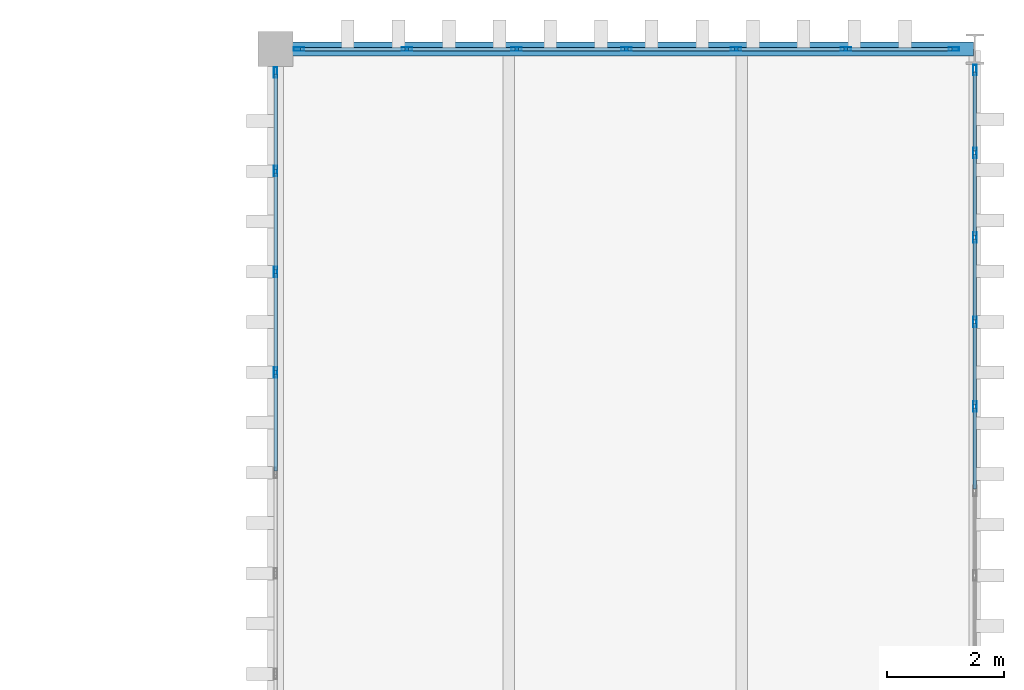
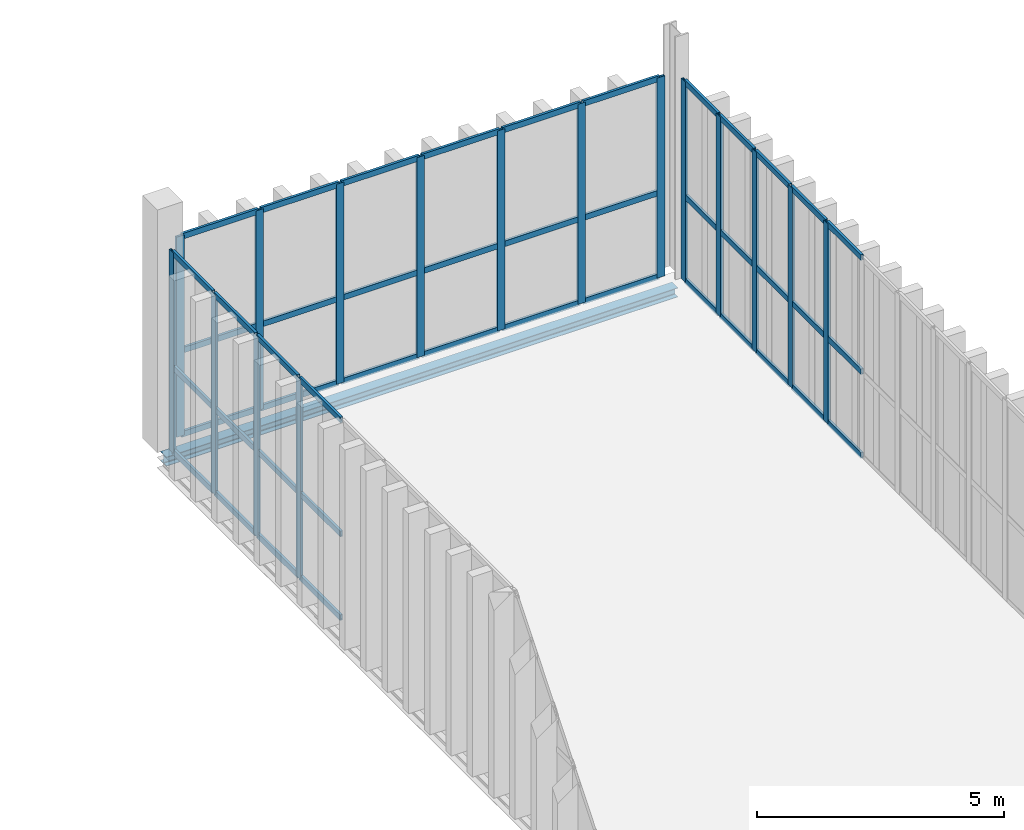
# One storey, part 150 of 211: 61 members, 1 beam, 3 elements without a shape of their own.
"""IFC4 building model written with IfcOpenShell, lengths in metres."""

from ifc_helpers import new_model, si_unit, direction, frame, origin, origin_2d, place, context, subcontext, project, spatial, hollow_rectangle, i_section, extrude, material, layer, layer_set, material_profile, profile_set, type_object, element, aggregate, save


model = new_model("IFC4")

# Units and contexts
model_context = context("Model", 3, precision=1e-05, world=origin(), true_north=direction((0.0, 1.0)))
body_context = subcontext(model_context, "Body", "Model", "MODEL_VIEW")
ifc_project = project(units=[si_unit("LENGTHUNIT", "METRE"), si_unit("AREAUNIT", "SQUARE_METRE"), si_unit("VOLUMEUNIT", "CUBIC_METRE"), si_unit("PLANEANGLEUNIT", "RADIAN"), si_unit("MASSUNIT", "GRAM", prefix="KILO")], contexts=[model_context])

# Site, building, storey
site_placement = place(None, origin())
site = spatial("IfcSite", under=ifc_project, at=site_placement, CompositionType="ELEMENT")
building_placement = place(site_placement, origin())
building = spatial("IfcBuilding", under=site, at=building_placement, Name="Barlavento Convention Centre", CompositionType="ELEMENT")
storey_placement = place(building_placement, frame((0.0, 0.0, 6.0)))
storey = spatial("IfcBuildingStorey", under=building, at=storey_placement, Name="L01", CompositionType="ELEMENT", Elevation=6.0)

# Curtain wall, members
ifc_material_1 = material(Name="Powder-coated aluminium and Low-E glass", Category="aluminium")
ifc_layer_1 = layer(ifc_material_1, 0.195068359375)
ifc_layer_set_1 = layer_set([ifc_layer_1], Name="ARC-CW-FOY-L01")
curtain_wall_type_1 = type_object("IfcCurtainWallType", Name="ARC-CW-FOY-L01", PredefinedType="NOTDEFINED", material=ifc_layer_set_1)
curtain_wall_1_placement = place(storey_placement, origin())
curtain_wall_1 = element("IfcCurtainWall", 1, at=curtain_wall_1_placement, inside=storey, type_object=curtain_wall_type_1, Name="L01 unitised curtain wall CW03", PredefinedType="NOTDEFINED")
ifc_material_2 = material(Name="Powder-coated aluminium", Category="aluminium")
ifc_material_profile_1 = material_profile(ifc_material_2, hollow_rectangle(XDim=0.06005859375, YDim=0.179931640625, WallThickness=0.0048828125, at=origin_2d()), Name="AL-MULL 60x180x5")
ifc_profile_set_1 = profile_set([ifc_material_profile_1], Name="Powder-coated aluminium")
member_type_1 = type_object("IfcMemberType", Name="ARC-CWM-60X180", PredefinedType="MULLION", material=ifc_profile_set_1)
member_1_placement = place(storey_placement, frame((192.0, 128.86962890625, 0.0), z_axis=(0.0, 0.0, 1.0), x_axis=(-1.0, 0.0, 0.0)))
member_1 = element("IfcMember", 2, at=member_1_placement, type_object=member_type_1, Name="CW03 mullion 9", PredefinedType="MULLION", context=body_context, shape_type="SweptSolid", body=[
    extrude(hollow_rectangle(XDim=0.06005859375, YDim=0.179931640625, WallThickness=0.0048828125, at=origin_2d()), origin(), (0.0, 0.0, 1.0), 4.949951171875),
])
member_2_placement = place(storey_placement, frame((192.0, 130.3193359375, 0.0), z_axis=(0.0, 0.0, 1.0), x_axis=(-1.0, 0.0, 0.0)))
member_2 = element("IfcMember", 3, at=member_2_placement, type_object=member_type_1, Name="CW03 mullion 10", PredefinedType="MULLION", context=body_context, shape_type="SweptSolid", body=[
    extrude(hollow_rectangle(XDim=0.06005859375, YDim=0.179931640625, WallThickness=0.0048828125, at=origin_2d()), origin(), (0.0, 0.0, 1.0), 4.949951171875),
])
member_3_placement = place(storey_placement, frame((192.0, 131.768798828125, 0.0), z_axis=(0.0, 0.0, 1.0), x_axis=(-1.0, 0.0, 0.0)))
member_3 = element("IfcMember", 4, at=member_3_placement, type_object=member_type_1, Name="CW03 mullion 11", PredefinedType="MULLION", context=body_context, shape_type="SweptSolid", body=[
    extrude(hollow_rectangle(XDim=0.06005859375, YDim=0.179931640625, WallThickness=0.0048828125, at=origin_2d()), origin(), (0.0, 0.0, 1.0), 4.949951171875),
])
member_4_placement = place(storey_placement, frame((192.0, 133.218505859375, 0.0), z_axis=(0.0, 0.0, 1.0), x_axis=(-1.0, 0.0, 0.0)))
member_4 = element("IfcMember", 5, at=member_4_placement, type_object=member_type_1, Name="CW03 mullion 12", PredefinedType="MULLION", context=body_context, shape_type="SweptSolid", body=[
    extrude(hollow_rectangle(XDim=0.06005859375, YDim=0.179931640625, WallThickness=0.0048828125, at=origin_2d()), origin(), (0.0, 0.0, 1.0), 4.949951171875),
])
member_5_placement = place(storey_placement, frame((192.0, 134.637939453125, 0.0), z_axis=(0.0, 0.0, 1.0), x_axis=(-1.0, 0.0, 0.0)))
member_5 = element("IfcMember", 6, at=member_5_placement, type_object=member_type_1, Name="CW03 mullion 13", PredefinedType="MULLION", context=body_context, shape_type="SweptSolid", body=[
    extrude(hollow_rectangle(XDim=0.06005859375, YDim=0.179931640625, WallThickness=0.0048828125, at=origin_2d()), origin(), (0.0, 0.0, 1.0), 4.949951171875),
])

ifc_layer_2 = layer(ifc_material_1, 0.179931640625)
ifc_layer_set_2 = layer_set([ifc_layer_2], Name="ARC-CW-EXH-L01")
curtain_wall_type_2 = type_object("IfcCurtainWallType", Name="ARC-CW-EXH-L01", PredefinedType="NOTDEFINED", material=ifc_layer_set_2)
curtain_wall_2_placement = place(storey_placement, origin())
curtain_wall_2 = element("IfcCurtainWall", 7, at=curtain_wall_2_placement, inside=storey, type_object=curtain_wall_type_2, Name="L01 unitised curtain wall CW04", PredefinedType="NOTDEFINED")
member_6_placement = place(storey_placement, frame((180.39990234375, 135.0, 0.0), z_axis=(0.0, 0.0, 1.0), x_axis=(0.0, 1.0, 0.0)))
member_6 = element("IfcMember", 8, at=member_6_placement, type_object=member_type_1, Name="CW04 mullion 1", PredefinedType="MULLION", context=body_context, shape_type="SweptSolid", body=[
    extrude(hollow_rectangle(XDim=0.06005859375, YDim=0.179931640625, WallThickness=0.0048828125, at=origin_2d()), origin(), (0.0, 0.0, 1.0), 4.949951171875),
])
member_7_placement = place(storey_placement, frame((182.2529296875, 135.0, 0.0), z_axis=(0.0, 0.0, 1.0), x_axis=(0.0, 1.0, 0.0)))
member_7 = element("IfcMember", 9, at=member_7_placement, type_object=member_type_1, Name="CW04 mullion 2", PredefinedType="MULLION", context=body_context, shape_type="SweptSolid", body=[
    extrude(hollow_rectangle(XDim=0.06005859375, YDim=0.179931640625, WallThickness=0.0048828125, at=origin_2d()), origin(), (0.0, 0.0, 1.0), 4.949951171875),
])
member_8_placement = place(storey_placement, frame((184.135986328125, 135.0, 0.0), z_axis=(0.0, 0.0, 1.0), x_axis=(0.0, 1.0, 0.0)))
member_8 = element("IfcMember", 10, at=member_8_placement, type_object=member_type_1, Name="CW04 mullion 3", PredefinedType="MULLION", context=body_context, shape_type="SweptSolid", body=[
    extrude(hollow_rectangle(XDim=0.06005859375, YDim=0.179931640625, WallThickness=0.0048828125, at=origin_2d()), origin(), (0.0, 0.0, 1.0), 4.949951171875),
])
member_9_placement = place(storey_placement, frame((186.01904296875, 135.0, 0.0), z_axis=(0.0, 0.0, 1.0), x_axis=(0.0, 1.0, 0.0)))
member_9 = element("IfcMember", 11, at=member_9_placement, type_object=member_type_1, Name="CW04 mullion 4", PredefinedType="MULLION", context=body_context, shape_type="SweptSolid", body=[
    extrude(hollow_rectangle(XDim=0.06005859375, YDim=0.179931640625, WallThickness=0.0048828125, at=origin_2d()), origin(), (0.0, 0.0, 1.0), 4.949951171875),
])
member_10_placement = place(storey_placement, frame((187.902099609375, 135.0, 0.0), z_axis=(0.0, 0.0, 1.0), x_axis=(0.0, 1.0, 0.0)))
member_10 = element("IfcMember", 12, at=member_10_placement, type_object=member_type_1, Name="CW04 mullion 5", PredefinedType="MULLION", context=body_context, shape_type="SweptSolid", body=[
    extrude(hollow_rectangle(XDim=0.06005859375, YDim=0.179931640625, WallThickness=0.0048828125, at=origin_2d()), origin(), (0.0, 0.0, 1.0), 4.949951171875),
])
member_11_placement = place(storey_placement, frame((189.784912109375, 135.0, 0.0), z_axis=(0.0, 0.0, 1.0), x_axis=(0.0, 1.0, 0.0)))
member_11 = element("IfcMember", 13, at=member_11_placement, type_object=member_type_1, Name="CW04 mullion 6", PredefinedType="MULLION", context=body_context, shape_type="SweptSolid", body=[
    extrude(hollow_rectangle(XDim=0.06005859375, YDim=0.179931640625, WallThickness=0.0048828125, at=origin_2d()), origin(), (0.0, 0.0, 1.0), 4.949951171875),
])
member_12_placement = place(storey_placement, frame((191.637939453125, 135.0, 0.0), z_axis=(0.0, 0.0, 1.0), x_axis=(0.0, 1.0, 0.0)))
member_12 = element("IfcMember", 14, at=member_12_placement, type_object=member_type_1, Name="CW04 mullion 7", PredefinedType="MULLION", context=body_context, shape_type="SweptSolid", body=[
    extrude(hollow_rectangle(XDim=0.06005859375, YDim=0.179931640625, WallThickness=0.0048828125, at=origin_2d()), origin(), (0.0, 0.0, 1.0), 4.949951171875),
])

curtain_wall_3_placement = place(storey_placement, origin())
curtain_wall_3 = element("IfcCurtainWall", 15, at=curtain_wall_3_placement, inside=storey, type_object=curtain_wall_type_2, Name="L01 unitised curtain wall CW04", PredefinedType="NOTDEFINED")
member_13_placement = place(storey_placement, frame((180.0, 129.455078125, 0.0), z_axis=(0.0, 0.0, 1.0), x_axis=(-1.0, 0.0, 0.0)))
member_13 = element("IfcMember", 16, at=member_13_placement, type_object=member_type_1, Name="CW04 mullion 8", PredefinedType="MULLION", context=body_context, shape_type="SweptSolid", body=[
    extrude(hollow_rectangle(XDim=0.06005859375, YDim=0.179931640625, WallThickness=0.0048828125, at=origin_2d()), origin(), (0.0, 0.0, 1.0), 4.949951171875),
])
member_14_placement = place(storey_placement, frame((180.0, 131.179931640625, 0.0), z_axis=(0.0, 0.0, 1.0), x_axis=(-1.0, 0.0, 0.0)))
member_14 = element("IfcMember", 17, at=member_14_placement, type_object=member_type_1, Name="CW04 mullion 9", PredefinedType="MULLION", context=body_context, shape_type="SweptSolid", body=[
    extrude(hollow_rectangle(XDim=0.06005859375, YDim=0.179931640625, WallThickness=0.0048828125, at=origin_2d()), origin(), (0.0, 0.0, 1.0), 4.949951171875),
])
member_15_placement = place(storey_placement, frame((180.0, 132.905029296875, 0.0), z_axis=(0.0, 0.0, 1.0), x_axis=(-1.0, 0.0, 0.0)))
member_15 = element("IfcMember", 18, at=member_15_placement, type_object=member_type_1, Name="CW04 mullion 10", PredefinedType="MULLION", context=body_context, shape_type="SweptSolid", body=[
    extrude(hollow_rectangle(XDim=0.06005859375, YDim=0.179931640625, WallThickness=0.0048828125, at=origin_2d()), origin(), (0.0, 0.0, 1.0), 4.949951171875),
])
member_16_placement = place(storey_placement, frame((180.0, 134.60009765625, 0.0), z_axis=(0.0, 0.0, 1.0), x_axis=(-1.0, 0.0, 0.0)))
member_16 = element("IfcMember", 19, at=member_16_placement, type_object=member_type_1, Name="CW04 mullion 11", PredefinedType="MULLION", context=body_context, shape_type="SweptSolid", body=[
    extrude(hollow_rectangle(XDim=0.06005859375, YDim=0.179931640625, WallThickness=0.0048828125, at=origin_2d()), origin(), (0.0, 0.0, 1.0), 4.949951171875),
])

# Member
ifc_material_profile_2 = material_profile(ifc_material_2, hollow_rectangle(XDim=0.06005859375, YDim=0.139892578125, WallThickness=0.00390625, at=origin_2d()), Name="AL-TRAN 60x140x4")
ifc_profile_set_2 = profile_set([ifc_material_profile_2], Name="Powder-coated aluminium")
member_type_2 = type_object("IfcMemberType", Name="ARC-CWT-60X140", PredefinedType="USERDEFINED", material=ifc_profile_set_2)
member_17_placement = place(storey_placement, frame((192.0, 127.4501953125, 0.030029296875), z_axis=(0.0, 1.0, 0.0), x_axis=(-1.0, 0.0, 0.0)))
member_17 = element("IfcMember", 20, at=member_17_placement, type_object=member_type_2, Name="CW03 transom 8.1", ObjectType="TRANSOM", PredefinedType="USERDEFINED", context=body_context, shape_type="SweptSolid", body=[
    extrude(hollow_rectangle(XDim=0.06005859375, YDim=0.139892578125, WallThickness=0.00390625, at=origin_2d()), origin(), (0.0, 0.0, 1.0), 1.3896484375),
])

member_18_placement = place(storey_placement, frame((192.0, 127.4501953125, 2.10009765625), z_axis=(0.0, 1.0, 0.0), x_axis=(-1.0, 0.0, 0.0)))
member_18 = element("IfcMember", 21, at=member_18_placement, type_object=member_type_2, Name="CW03 transom 8.2", ObjectType="TRANSOM", PredefinedType="USERDEFINED", context=body_context, shape_type="SweptSolid", body=[
    extrude(hollow_rectangle(XDim=0.06005859375, YDim=0.139892578125, WallThickness=0.00390625, at=origin_2d()), origin(), (0.0, 0.0, 1.0), 1.3896484375),
])

member_19_placement = place(storey_placement, frame((192.0, 127.4501953125, 4.919921875), z_axis=(0.0, 1.0, 0.0), x_axis=(-1.0, 0.0, 0.0)))
member_19 = element("IfcMember", 22, at=member_19_placement, type_object=member_type_2, Name="CW03 transom 8.3", ObjectType="TRANSOM", PredefinedType="USERDEFINED", context=body_context, shape_type="SweptSolid", body=[
    extrude(hollow_rectangle(XDim=0.06005859375, YDim=0.139892578125, WallThickness=0.00390625, at=origin_2d()), origin(), (0.0, 0.0, 1.0), 1.3896484375),
])

member_20_placement = place(storey_placement, frame((192.0, 128.899658203125, 0.030029296875), z_axis=(0.0, 1.0, 0.0), x_axis=(-1.0, 0.0, 0.0)))
member_20 = element("IfcMember", 23, at=member_20_placement, type_object=member_type_2, Name="CW03 transom 9.1", ObjectType="TRANSOM", PredefinedType="USERDEFINED", context=body_context, shape_type="SweptSolid", body=[
    extrude(hollow_rectangle(XDim=0.06005859375, YDim=0.139892578125, WallThickness=0.00390625, at=origin_2d()), origin(), (0.0, 0.0, 1.0), 1.3896484375),
])

member_21_placement = place(storey_placement, frame((192.0, 128.899658203125, 2.10009765625), z_axis=(0.0, 1.0, 0.0), x_axis=(-1.0, 0.0, 0.0)))
member_21 = element("IfcMember", 24, at=member_21_placement, type_object=member_type_2, Name="CW03 transom 9.2", ObjectType="TRANSOM", PredefinedType="USERDEFINED", context=body_context, shape_type="SweptSolid", body=[
    extrude(hollow_rectangle(XDim=0.06005859375, YDim=0.139892578125, WallThickness=0.00390625, at=origin_2d()), origin(), (0.0, 0.0, 1.0), 1.3896484375),
])

member_22_placement = place(storey_placement, frame((192.0, 128.899658203125, 4.919921875), z_axis=(0.0, 1.0, 0.0), x_axis=(-1.0, 0.0, 0.0)))
member_22 = element("IfcMember", 25, at=member_22_placement, type_object=member_type_2, Name="CW03 transom 9.3", ObjectType="TRANSOM", PredefinedType="USERDEFINED", context=body_context, shape_type="SweptSolid", body=[
    extrude(hollow_rectangle(XDim=0.06005859375, YDim=0.139892578125, WallThickness=0.00390625, at=origin_2d()), origin(), (0.0, 0.0, 1.0), 1.3896484375),
])

member_23_placement = place(storey_placement, frame((192.0, 130.349365234375, 0.030029296875), z_axis=(0.0, 1.0, 0.0), x_axis=(-1.0, 0.0, 0.0)))
member_23 = element("IfcMember", 26, at=member_23_placement, type_object=member_type_2, Name="CW03 transom 10.1", ObjectType="TRANSOM", PredefinedType="USERDEFINED", context=body_context, shape_type="SweptSolid", body=[
    extrude(hollow_rectangle(XDim=0.06005859375, YDim=0.139892578125, WallThickness=0.00390625, at=origin_2d()), origin(), (0.0, 0.0, 1.0), 1.389404296875),
])

member_24_placement = place(storey_placement, frame((192.0, 130.349365234375, 2.10009765625), z_axis=(0.0, 1.0, 0.0), x_axis=(-1.0, 0.0, 0.0)))
member_24 = element("IfcMember", 27, at=member_24_placement, type_object=member_type_2, Name="CW03 transom 10.2", ObjectType="TRANSOM", PredefinedType="USERDEFINED", context=body_context, shape_type="SweptSolid", body=[
    extrude(hollow_rectangle(XDim=0.06005859375, YDim=0.139892578125, WallThickness=0.00390625, at=origin_2d()), origin(), (0.0, 0.0, 1.0), 1.389404296875),
])

member_25_placement = place(storey_placement, frame((192.0, 130.349365234375, 4.919921875), z_axis=(0.0, 1.0, 0.0), x_axis=(-1.0, 0.0, 0.0)))
member_25 = element("IfcMember", 28, at=member_25_placement, type_object=member_type_2, Name="CW03 transom 10.3", ObjectType="TRANSOM", PredefinedType="USERDEFINED", context=body_context, shape_type="SweptSolid", body=[
    extrude(hollow_rectangle(XDim=0.06005859375, YDim=0.139892578125, WallThickness=0.00390625, at=origin_2d()), origin(), (0.0, 0.0, 1.0), 1.389404296875),
])

member_26_placement = place(storey_placement, frame((192.0, 131.798828125, 0.030029296875), z_axis=(0.0, 1.0, 0.0), x_axis=(-1.0, 0.0, 0.0)))
member_26 = element("IfcMember", 29, at=member_26_placement, type_object=member_type_2, Name="CW03 transom 11.1", ObjectType="TRANSOM", PredefinedType="USERDEFINED", context=body_context, shape_type="SweptSolid", body=[
    extrude(hollow_rectangle(XDim=0.06005859375, YDim=0.139892578125, WallThickness=0.00390625, at=origin_2d()), origin(), (0.0, 0.0, 1.0), 1.3896484375),
])

member_27_placement = place(storey_placement, frame((192.0, 131.798828125, 2.10009765625), z_axis=(0.0, 1.0, 0.0), x_axis=(-1.0, 0.0, 0.0)))
member_27 = element("IfcMember", 30, at=member_27_placement, type_object=member_type_2, Name="CW03 transom 11.2", ObjectType="TRANSOM", PredefinedType="USERDEFINED", context=body_context, shape_type="SweptSolid", body=[
    extrude(hollow_rectangle(XDim=0.06005859375, YDim=0.139892578125, WallThickness=0.00390625, at=origin_2d()), origin(), (0.0, 0.0, 1.0), 1.3896484375),
])

member_28_placement = place(storey_placement, frame((192.0, 131.798828125, 4.919921875), z_axis=(0.0, 1.0, 0.0), x_axis=(-1.0, 0.0, 0.0)))
member_28 = element("IfcMember", 31, at=member_28_placement, type_object=member_type_2, Name="CW03 transom 11.3", ObjectType="TRANSOM", PredefinedType="USERDEFINED", context=body_context, shape_type="SweptSolid", body=[
    extrude(hollow_rectangle(XDim=0.06005859375, YDim=0.139892578125, WallThickness=0.00390625, at=origin_2d()), origin(), (0.0, 0.0, 1.0), 1.3896484375),
])

member_29_placement = place(storey_placement, frame((192.0, 133.24853515625, 0.030029296875), z_axis=(0.0, 1.0, 0.0), x_axis=(-1.0, 0.0, 0.0)))
member_29 = element("IfcMember", 32, at=member_29_placement, type_object=member_type_2, Name="CW03 transom 12.1", ObjectType="TRANSOM", PredefinedType="USERDEFINED", context=body_context, shape_type="SweptSolid", body=[
    extrude(hollow_rectangle(XDim=0.06005859375, YDim=0.139892578125, WallThickness=0.00390625, at=origin_2d()), origin(), (0.0, 0.0, 1.0), 1.359375),
])

member_30_placement = place(storey_placement, frame((192.0, 133.24853515625, 2.10009765625), z_axis=(0.0, 1.0, 0.0), x_axis=(-1.0, 0.0, 0.0)))
member_30 = element("IfcMember", 33, at=member_30_placement, type_object=member_type_2, Name="CW03 transom 12.2", ObjectType="TRANSOM", PredefinedType="USERDEFINED", context=body_context, shape_type="SweptSolid", body=[
    extrude(hollow_rectangle(XDim=0.06005859375, YDim=0.139892578125, WallThickness=0.00390625, at=origin_2d()), origin(), (0.0, 0.0, 1.0), 1.359375),
])

member_31_placement = place(storey_placement, frame((192.0, 133.24853515625, 4.919921875), z_axis=(0.0, 1.0, 0.0), x_axis=(-1.0, 0.0, 0.0)))
member_31 = element("IfcMember", 34, at=member_31_placement, type_object=member_type_2, Name="CW03 transom 12.3", ObjectType="TRANSOM", PredefinedType="USERDEFINED", context=body_context, shape_type="SweptSolid", body=[
    extrude(hollow_rectangle(XDim=0.06005859375, YDim=0.139892578125, WallThickness=0.00390625, at=origin_2d()), origin(), (0.0, 0.0, 1.0), 1.359375),
])

aggregate(curtain_wall_1, [member_1, member_2, member_3, member_4, member_5, member_17, member_18, member_19, member_20, member_21, member_22, member_23, member_24, member_25, member_26, member_27, member_28, member_29, member_30, member_31])

member_32_placement = place(storey_placement, frame((180.429931640625, 135.0, 0.030029296875), z_axis=(1.0, 0.0, 0.0), x_axis=(0.0, 1.0, 0.0)))
member_32 = element("IfcMember", 35, at=member_32_placement, type_object=member_type_2, Name="CW04 transom 1.1", ObjectType="TRANSOM", PredefinedType="USERDEFINED", context=body_context, shape_type="SweptSolid", body=[
    extrude(hollow_rectangle(XDim=0.06005859375, YDim=0.139892578125, WallThickness=0.00390625, at=origin_2d()), origin(), (0.0, 0.0, 1.0), 1.79296875),
])

member_33_placement = place(storey_placement, frame((180.429931640625, 135.0, 2.10009765625), z_axis=(1.0, 0.0, 0.0), x_axis=(0.0, 1.0, 0.0)))
member_33 = element("IfcMember", 36, at=member_33_placement, type_object=member_type_2, Name="CW04 transom 1.2", ObjectType="TRANSOM", PredefinedType="USERDEFINED", context=body_context, shape_type="SweptSolid", body=[
    extrude(hollow_rectangle(XDim=0.06005859375, YDim=0.139892578125, WallThickness=0.00390625, at=origin_2d()), origin(), (0.0, 0.0, 1.0), 1.79296875),
])

member_34_placement = place(storey_placement, frame((180.429931640625, 135.0, 4.919921875), z_axis=(1.0, 0.0, 0.0), x_axis=(0.0, 1.0, 0.0)))
member_34 = element("IfcMember", 37, at=member_34_placement, type_object=member_type_2, Name="CW04 transom 1.3", ObjectType="TRANSOM", PredefinedType="USERDEFINED", context=body_context, shape_type="SweptSolid", body=[
    extrude(hollow_rectangle(XDim=0.06005859375, YDim=0.139892578125, WallThickness=0.00390625, at=origin_2d()), origin(), (0.0, 0.0, 1.0), 1.79296875),
])

member_35_placement = place(storey_placement, frame((182.282958984375, 135.0, 0.030029296875), z_axis=(1.0, 0.0, 0.0), x_axis=(0.0, 1.0, 0.0)))
member_35 = element("IfcMember", 38, at=member_35_placement, type_object=member_type_2, Name="CW04 transom 2.1", ObjectType="TRANSOM", PredefinedType="USERDEFINED", context=body_context, shape_type="SweptSolid", body=[
    extrude(hollow_rectangle(XDim=0.06005859375, YDim=0.139892578125, WallThickness=0.00390625, at=origin_2d()), origin(), (0.0, 0.0, 1.0), 1.822998046875),
])

member_36_placement = place(storey_placement, frame((182.282958984375, 135.0, 2.10009765625), z_axis=(1.0, 0.0, 0.0), x_axis=(0.0, 1.0, 0.0)))
member_36 = element("IfcMember", 39, at=member_36_placement, type_object=member_type_2, Name="CW04 transom 2.2", ObjectType="TRANSOM", PredefinedType="USERDEFINED", context=body_context, shape_type="SweptSolid", body=[
    extrude(hollow_rectangle(XDim=0.06005859375, YDim=0.139892578125, WallThickness=0.00390625, at=origin_2d()), origin(), (0.0, 0.0, 1.0), 1.822998046875),
])

member_37_placement = place(storey_placement, frame((182.282958984375, 135.0, 4.919921875), z_axis=(1.0, 0.0, 0.0), x_axis=(0.0, 1.0, 0.0)))
member_37 = element("IfcMember", 40, at=member_37_placement, type_object=member_type_2, Name="CW04 transom 2.3", ObjectType="TRANSOM", PredefinedType="USERDEFINED", context=body_context, shape_type="SweptSolid", body=[
    extrude(hollow_rectangle(XDim=0.06005859375, YDim=0.139892578125, WallThickness=0.00390625, at=origin_2d()), origin(), (0.0, 0.0, 1.0), 1.822998046875),
])

member_38_placement = place(storey_placement, frame((184.166015625, 135.0, 0.030029296875), z_axis=(1.0, 0.0, 0.0), x_axis=(0.0, 1.0, 0.0)))
member_38 = element("IfcMember", 41, at=member_38_placement, type_object=member_type_2, Name="CW04 transom 3.1", ObjectType="TRANSOM", PredefinedType="USERDEFINED", context=body_context, shape_type="SweptSolid", body=[
    extrude(hollow_rectangle(XDim=0.06005859375, YDim=0.139892578125, WallThickness=0.00390625, at=origin_2d()), origin(), (0.0, 0.0, 1.0), 1.822998046875),
])

member_39_placement = place(storey_placement, frame((184.166015625, 135.0, 2.10009765625), z_axis=(1.0, 0.0, 0.0), x_axis=(0.0, 1.0, 0.0)))
member_39 = element("IfcMember", 42, at=member_39_placement, type_object=member_type_2, Name="CW04 transom 3.2", ObjectType="TRANSOM", PredefinedType="USERDEFINED", context=body_context, shape_type="SweptSolid", body=[
    extrude(hollow_rectangle(XDim=0.06005859375, YDim=0.139892578125, WallThickness=0.00390625, at=origin_2d()), origin(), (0.0, 0.0, 1.0), 1.822998046875),
])

member_40_placement = place(storey_placement, frame((184.166015625, 135.0, 4.919921875), z_axis=(1.0, 0.0, 0.0), x_axis=(0.0, 1.0, 0.0)))
member_40 = element("IfcMember", 43, at=member_40_placement, type_object=member_type_2, Name="CW04 transom 3.3", ObjectType="TRANSOM", PredefinedType="USERDEFINED", context=body_context, shape_type="SweptSolid", body=[
    extrude(hollow_rectangle(XDim=0.06005859375, YDim=0.139892578125, WallThickness=0.00390625, at=origin_2d()), origin(), (0.0, 0.0, 1.0), 1.822998046875),
])

member_41_placement = place(storey_placement, frame((186.049072265625, 135.0, 0.030029296875), z_axis=(1.0, 0.0, 0.0), x_axis=(0.0, 1.0, 0.0)))
member_41 = element("IfcMember", 44, at=member_41_placement, type_object=member_type_2, Name="CW04 transom 4.1", ObjectType="TRANSOM", PredefinedType="USERDEFINED", context=body_context, shape_type="SweptSolid", body=[
    extrude(hollow_rectangle(XDim=0.06005859375, YDim=0.139892578125, WallThickness=0.00390625, at=origin_2d()), origin(), (0.0, 0.0, 1.0), 1.822998046875),
])

member_42_placement = place(storey_placement, frame((186.049072265625, 135.0, 2.10009765625), z_axis=(1.0, 0.0, 0.0), x_axis=(0.0, 1.0, 0.0)))
member_42 = element("IfcMember", 45, at=member_42_placement, type_object=member_type_2, Name="CW04 transom 4.2", ObjectType="TRANSOM", PredefinedType="USERDEFINED", context=body_context, shape_type="SweptSolid", body=[
    extrude(hollow_rectangle(XDim=0.06005859375, YDim=0.139892578125, WallThickness=0.00390625, at=origin_2d()), origin(), (0.0, 0.0, 1.0), 1.822998046875),
])

member_43_placement = place(storey_placement, frame((186.049072265625, 135.0, 4.919921875), z_axis=(1.0, 0.0, 0.0), x_axis=(0.0, 1.0, 0.0)))
member_43 = element("IfcMember", 46, at=member_43_placement, type_object=member_type_2, Name="CW04 transom 4.3", ObjectType="TRANSOM", PredefinedType="USERDEFINED", context=body_context, shape_type="SweptSolid", body=[
    extrude(hollow_rectangle(XDim=0.06005859375, YDim=0.139892578125, WallThickness=0.00390625, at=origin_2d()), origin(), (0.0, 0.0, 1.0), 1.822998046875),
])

member_44_placement = place(storey_placement, frame((187.931884765625, 135.0, 0.030029296875), z_axis=(1.0, 0.0, 0.0), x_axis=(0.0, 1.0, 0.0)))
member_44 = element("IfcMember", 47, at=member_44_placement, type_object=member_type_2, Name="CW04 transom 5.1", ObjectType="TRANSOM", PredefinedType="USERDEFINED", context=body_context, shape_type="SweptSolid", body=[
    extrude(hollow_rectangle(XDim=0.06005859375, YDim=0.139892578125, WallThickness=0.00390625, at=origin_2d()), origin(), (0.0, 0.0, 1.0), 1.822998046875),
])

member_45_placement = place(storey_placement, frame((187.931884765625, 135.0, 2.10009765625), z_axis=(1.0, 0.0, 0.0), x_axis=(0.0, 1.0, 0.0)))
member_45 = element("IfcMember", 48, at=member_45_placement, type_object=member_type_2, Name="CW04 transom 5.2", ObjectType="TRANSOM", PredefinedType="USERDEFINED", context=body_context, shape_type="SweptSolid", body=[
    extrude(hollow_rectangle(XDim=0.06005859375, YDim=0.139892578125, WallThickness=0.00390625, at=origin_2d()), origin(), (0.0, 0.0, 1.0), 1.822998046875),
])

member_46_placement = place(storey_placement, frame((187.931884765625, 135.0, 4.919921875), z_axis=(1.0, 0.0, 0.0), x_axis=(0.0, 1.0, 0.0)))
member_46 = element("IfcMember", 49, at=member_46_placement, type_object=member_type_2, Name="CW04 transom 5.3", ObjectType="TRANSOM", PredefinedType="USERDEFINED", context=body_context, shape_type="SweptSolid", body=[
    extrude(hollow_rectangle(XDim=0.06005859375, YDim=0.139892578125, WallThickness=0.00390625, at=origin_2d()), origin(), (0.0, 0.0, 1.0), 1.822998046875),
])

member_47_placement = place(storey_placement, frame((189.81494140625, 135.0, 0.030029296875), z_axis=(1.0, 0.0, 0.0), x_axis=(0.0, 1.0, 0.0)))
member_47 = element("IfcMember", 50, at=member_47_placement, type_object=member_type_2, Name="CW04 transom 6.1", ObjectType="TRANSOM", PredefinedType="USERDEFINED", context=body_context, shape_type="SweptSolid", body=[
    extrude(hollow_rectangle(XDim=0.06005859375, YDim=0.139892578125, WallThickness=0.00390625, at=origin_2d()), origin(), (0.0, 0.0, 1.0), 1.79296875),
])

member_48_placement = place(storey_placement, frame((189.81494140625, 135.0, 2.10009765625), z_axis=(1.0, 0.0, 0.0), x_axis=(0.0, 1.0, 0.0)))
member_48 = element("IfcMember", 51, at=member_48_placement, type_object=member_type_2, Name="CW04 transom 6.2", ObjectType="TRANSOM", PredefinedType="USERDEFINED", context=body_context, shape_type="SweptSolid", body=[
    extrude(hollow_rectangle(XDim=0.06005859375, YDim=0.139892578125, WallThickness=0.00390625, at=origin_2d()), origin(), (0.0, 0.0, 1.0), 1.79296875),
])

member_49_placement = place(storey_placement, frame((189.81494140625, 135.0, 4.919921875), z_axis=(1.0, 0.0, 0.0), x_axis=(0.0, 1.0, 0.0)))
member_49 = element("IfcMember", 52, at=member_49_placement, type_object=member_type_2, Name="CW04 transom 6.3", ObjectType="TRANSOM", PredefinedType="USERDEFINED", context=body_context, shape_type="SweptSolid", body=[
    extrude(hollow_rectangle(XDim=0.06005859375, YDim=0.139892578125, WallThickness=0.00390625, at=origin_2d()), origin(), (0.0, 0.0, 1.0), 1.79296875),
])

aggregate(curtain_wall_2, [member_6, member_7, member_8, member_9, member_10, member_11, member_12, member_32, member_33, member_34, member_35, member_36, member_37, member_38, member_39, member_40, member_41, member_42, member_43, member_44, member_45, member_46, member_47, member_48, member_49])

member_50_placement = place(storey_placement, frame((180.0, 127.760009765625, 0.030029296875), z_axis=(0.0, 1.0, 0.0), x_axis=(-1.0, 0.0, 0.0)))
member_50 = element("IfcMember", 53, at=member_50_placement, type_object=member_type_2, Name="CW04 transom 7.1", ObjectType="TRANSOM", PredefinedType="USERDEFINED", context=body_context, shape_type="SweptSolid", body=[
    extrude(hollow_rectangle(XDim=0.06005859375, YDim=0.139892578125, WallThickness=0.00390625, at=origin_2d()), origin(), (0.0, 0.0, 1.0), 1.6650390625),
])

member_51_placement = place(storey_placement, frame((180.0, 127.760009765625, 2.10009765625), z_axis=(0.0, 1.0, 0.0), x_axis=(-1.0, 0.0, 0.0)))
member_51 = element("IfcMember", 54, at=member_51_placement, type_object=member_type_2, Name="CW04 transom 7.2", ObjectType="TRANSOM", PredefinedType="USERDEFINED", context=body_context, shape_type="SweptSolid", body=[
    extrude(hollow_rectangle(XDim=0.06005859375, YDim=0.139892578125, WallThickness=0.00390625, at=origin_2d()), origin(), (0.0, 0.0, 1.0), 1.6650390625),
])

member_52_placement = place(storey_placement, frame((180.0, 127.760009765625, 4.919921875), z_axis=(0.0, 1.0, 0.0), x_axis=(-1.0, 0.0, 0.0)))
member_52 = element("IfcMember", 55, at=member_52_placement, type_object=member_type_2, Name="CW04 transom 7.3", ObjectType="TRANSOM", PredefinedType="USERDEFINED", context=body_context, shape_type="SweptSolid", body=[
    extrude(hollow_rectangle(XDim=0.06005859375, YDim=0.139892578125, WallThickness=0.00390625, at=origin_2d()), origin(), (0.0, 0.0, 1.0), 1.6650390625),
])

member_53_placement = place(storey_placement, frame((180.0, 129.485107421875, 0.030029296875), z_axis=(0.0, 1.0, 0.0), x_axis=(-1.0, 0.0, 0.0)))
member_53 = element("IfcMember", 56, at=member_53_placement, type_object=member_type_2, Name="CW04 transom 8.1", ObjectType="TRANSOM", PredefinedType="USERDEFINED", context=body_context, shape_type="SweptSolid", body=[
    extrude(hollow_rectangle(XDim=0.06005859375, YDim=0.139892578125, WallThickness=0.00390625, at=origin_2d()), origin(), (0.0, 0.0, 1.0), 1.664794921875),
])

member_54_placement = place(storey_placement, frame((180.0, 129.485107421875, 2.10009765625), z_axis=(0.0, 1.0, 0.0), x_axis=(-1.0, 0.0, 0.0)))
member_54 = element("IfcMember", 57, at=member_54_placement, type_object=member_type_2, Name="CW04 transom 8.2", ObjectType="TRANSOM", PredefinedType="USERDEFINED", context=body_context, shape_type="SweptSolid", body=[
    extrude(hollow_rectangle(XDim=0.06005859375, YDim=0.139892578125, WallThickness=0.00390625, at=origin_2d()), origin(), (0.0, 0.0, 1.0), 1.664794921875),
])

member_55_placement = place(storey_placement, frame((180.0, 129.485107421875, 4.919921875), z_axis=(0.0, 1.0, 0.0), x_axis=(-1.0, 0.0, 0.0)))
member_55 = element("IfcMember", 58, at=member_55_placement, type_object=member_type_2, Name="CW04 transom 8.3", ObjectType="TRANSOM", PredefinedType="USERDEFINED", context=body_context, shape_type="SweptSolid", body=[
    extrude(hollow_rectangle(XDim=0.06005859375, YDim=0.139892578125, WallThickness=0.00390625, at=origin_2d()), origin(), (0.0, 0.0, 1.0), 1.664794921875),
])

member_56_placement = place(storey_placement, frame((180.0, 131.2099609375, 0.030029296875), z_axis=(0.0, 1.0, 0.0), x_axis=(-1.0, 0.0, 0.0)))
member_56 = element("IfcMember", 59, at=member_56_placement, type_object=member_type_2, Name="CW04 transom 9.1", ObjectType="TRANSOM", PredefinedType="USERDEFINED", context=body_context, shape_type="SweptSolid", body=[
    extrude(hollow_rectangle(XDim=0.06005859375, YDim=0.139892578125, WallThickness=0.00390625, at=origin_2d()), origin(), (0.0, 0.0, 1.0), 1.6650390625),
])

member_57_placement = place(storey_placement, frame((180.0, 131.2099609375, 2.10009765625), z_axis=(0.0, 1.0, 0.0), x_axis=(-1.0, 0.0, 0.0)))
member_57 = element("IfcMember", 60, at=member_57_placement, type_object=member_type_2, Name="CW04 transom 9.2", ObjectType="TRANSOM", PredefinedType="USERDEFINED", context=body_context, shape_type="SweptSolid", body=[
    extrude(hollow_rectangle(XDim=0.06005859375, YDim=0.139892578125, WallThickness=0.00390625, at=origin_2d()), origin(), (0.0, 0.0, 1.0), 1.6650390625),
])

member_58_placement = place(storey_placement, frame((180.0, 131.2099609375, 4.919921875), z_axis=(0.0, 1.0, 0.0), x_axis=(-1.0, 0.0, 0.0)))
member_58 = element("IfcMember", 61, at=member_58_placement, type_object=member_type_2, Name="CW04 transom 9.3", ObjectType="TRANSOM", PredefinedType="USERDEFINED", context=body_context, shape_type="SweptSolid", body=[
    extrude(hollow_rectangle(XDim=0.06005859375, YDim=0.139892578125, WallThickness=0.00390625, at=origin_2d()), origin(), (0.0, 0.0, 1.0), 1.6650390625),
])

member_59_placement = place(storey_placement, frame((180.0, 132.93505859375, 0.030029296875), z_axis=(0.0, 1.0, 0.0), x_axis=(-1.0, 0.0, 0.0)))
member_59 = element("IfcMember", 62, at=member_59_placement, type_object=member_type_2, Name="CW04 transom 10.1", ObjectType="TRANSOM", PredefinedType="USERDEFINED", context=body_context, shape_type="SweptSolid", body=[
    extrude(hollow_rectangle(XDim=0.06005859375, YDim=0.139892578125, WallThickness=0.00390625, at=origin_2d()), origin(), (0.0, 0.0, 1.0), 1.635009765625),
])

member_60_placement = place(storey_placement, frame((180.0, 132.93505859375, 2.10009765625), z_axis=(0.0, 1.0, 0.0), x_axis=(-1.0, 0.0, 0.0)))
member_60 = element("IfcMember", 63, at=member_60_placement, type_object=member_type_2, Name="CW04 transom 10.2", ObjectType="TRANSOM", PredefinedType="USERDEFINED", context=body_context, shape_type="SweptSolid", body=[
    extrude(hollow_rectangle(XDim=0.06005859375, YDim=0.139892578125, WallThickness=0.00390625, at=origin_2d()), origin(), (0.0, 0.0, 1.0), 1.635009765625),
])

member_61_placement = place(storey_placement, frame((180.0, 132.93505859375, 4.919921875), z_axis=(0.0, 1.0, 0.0), x_axis=(-1.0, 0.0, 0.0)))
member_61 = element("IfcMember", 64, at=member_61_placement, type_object=member_type_2, Name="CW04 transom 10.3", ObjectType="TRANSOM", PredefinedType="USERDEFINED", context=body_context, shape_type="SweptSolid", body=[
    extrude(hollow_rectangle(XDim=0.06005859375, YDim=0.139892578125, WallThickness=0.00390625, at=origin_2d()), origin(), (0.0, 0.0, 1.0), 1.635009765625),
])

aggregate(curtain_wall_3, [member_13, member_14, member_15, member_16, member_50, member_51, member_52, member_53, member_54, member_55, member_56, member_57, member_58, member_59, member_60, member_61])

# Beam
ifc_material_3 = material(Name="Steel S355", Category="steel")
ifc_material_profile_3 = material_profile(ifc_material_3, i_section(OverallWidth=0.239990234375, OverallDepth=0.22998046875, WebThickness=0.007568359375, FlangeThickness=0.011962890625, FilletRadius=0.02099609375, at=origin_2d()), Name="HEA 240")
ifc_profile_set_3 = profile_set([ifc_material_profile_3], Name="Steel S355")
beam_type = type_object("IfcBeamType", Name="STR-BM-SPN-HEA240", PredefinedType="SPANDREL", material=ifc_profile_set_3)
beam_placement = place(storey_placement, frame((180.02001953125, 135.0, -0.445068359375), z_axis=(1.0, 0.0, 0.0), x_axis=(0.0, 1.0, 0.0)))
element("IfcBeam", 65, at=beam_placement, inside=storey, type_object=beam_type, Name="L01 primary girder SP05", PredefinedType="SPANDREL", context=body_context, shape_type="SweptSolid", body=[
    extrude(i_section(OverallWidth=0.239990234375, OverallDepth=0.22998046875, WebThickness=0.007568359375, FlangeThickness=0.011962890625, FilletRadius=0.02099609375, at=origin_2d()), origin(), (0.0, 0.0, 1.0), 11.9599609375),
])

save(model, "model.ifc")
